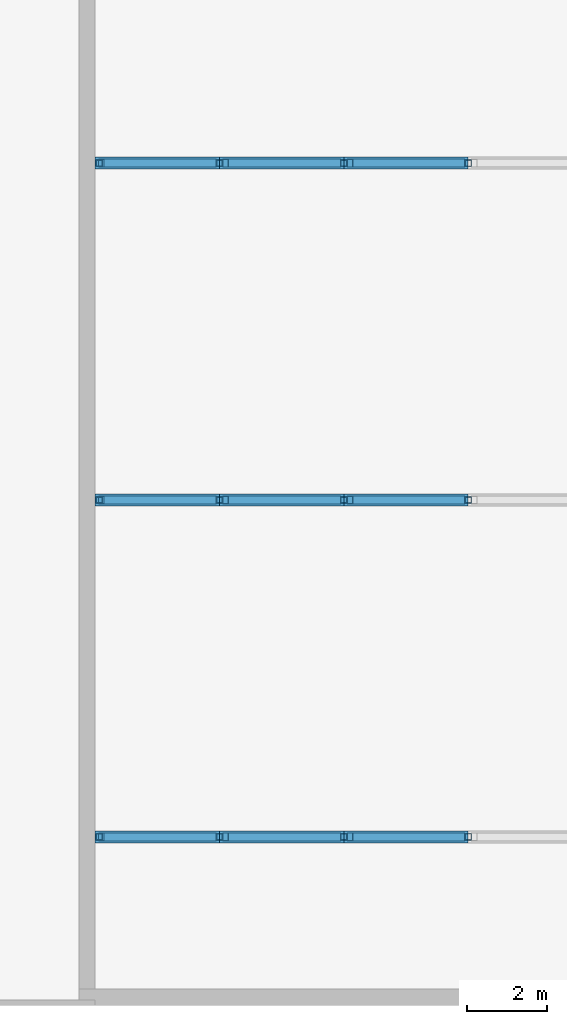
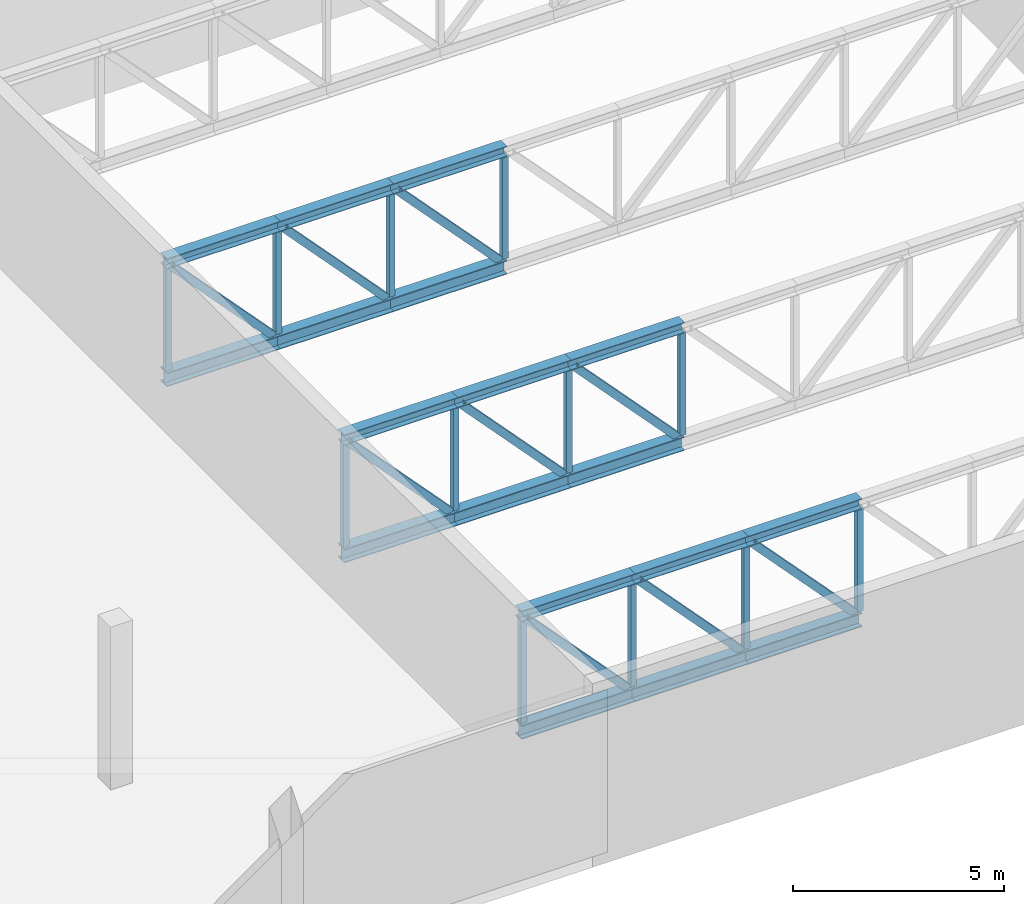
# One storey, part 3 of 26: 39 members.
"""IFC4 building model written with IfcOpenShell, lengths in metres."""

from ifc_helpers import new_model, si_unit, direction, frame, origin, origin_2d, place, context, subcontext, project, spatial, hollow_rectangle, i_section, extrude, material, material_profile, profile_set, type_object, element, save


model = new_model("IFC4")

# Units and contexts
model_context = context("Model", 3, precision=1e-05, world=origin(), true_north=direction((0.0, 1.0)))
body_context = subcontext(model_context, "Body", "Model", "MODEL_VIEW")
ifc_project = project(units=[si_unit("LENGTHUNIT", "METRE"), si_unit("AREAUNIT", "SQUARE_METRE"), si_unit("VOLUMEUNIT", "CUBIC_METRE"), si_unit("PLANEANGLEUNIT", "RADIAN"), si_unit("MASSUNIT", "GRAM", prefix="KILO")], contexts=[model_context])

# Site, building, storey
site_placement = place(None, origin())
site = spatial("IfcSite", under=ifc_project, at=site_placement, CompositionType="ELEMENT")
building_placement = place(site_placement, origin())
building = spatial("IfcBuilding", under=site, at=building_placement, Name="Candeia Pilgrim Tower and Theatre", CompositionType="ELEMENT")
storey_placement = place(building_placement, frame((0.0, 0.0, 34.0)))
storey = spatial("IfcBuildingStorey", under=building, at=storey_placement, Name="L05", CompositionType="ELEMENT", Elevation=34.0)

# Members
ifc_material = material(Name="Steel S355", Category="steel")
ifc_material_profile_1 = material_profile(ifc_material, i_section(OverallWidth=0.300048828125, OverallDepth=0.300048828125, WebThickness=0.010986328125, FlangeThickness=0.01904296875, at=origin_2d()))
ifc_profile_set_1 = profile_set([ifc_material_profile_1], Name="Steel S355")
member_type_1 = type_object("IfcMemberType", Name="Truss chord HEB 300", PredefinedType="CHORD", material=ifc_profile_set_1)
member_1_placement = place(storey_placement, frame((193.0, 70.199951171875, 4.35009765625), z_axis=(1.0, 0.0, 0.0), x_axis=(0.0, 1.0, 0.0)))
element("IfcMember", 1, at=member_1_placement, inside=storey, type_object=member_type_1, Name="Truss 1 top chord 1", PredefinedType="CHORD", context=body_context, shape_type="SweptSolid", body=[
    extrude(i_section(OverallWidth=0.300048828125, OverallDepth=0.300048828125, WebThickness=0.010986328125, FlangeThickness=0.01904296875, at=origin_2d()), origin(), (0.0, 0.0, 1.0), 3.10009765625),
])
member_2_placement = place(storey_placement, frame((196.10009765625, 70.199951171875, 4.35009765625), z_axis=(1.0, 0.0, 0.0), x_axis=(0.0, 1.0, 0.0)))
element("IfcMember", 2, at=member_2_placement, inside=storey, type_object=member_type_1, Name="Truss 1 top chord 2", PredefinedType="CHORD", context=body_context, shape_type="SweptSolid", body=[
    extrude(i_section(OverallWidth=0.300048828125, OverallDepth=0.300048828125, WebThickness=0.010986328125, FlangeThickness=0.01904296875, at=origin_2d()), origin(), (0.0, 0.0, 1.0), 3.099853515625),
])
for number, where, z_axis, x_axis, name in (
    (3, (199.199951171875, 70.199951171875, 4.35009765625), (1.0, 0.0, 0.0), (0.0, 1.0, 0.0), "Truss 1 top chord 3"),
    (4, (193.0, 78.60009765625, 4.35009765625), (1.0, 0.0, 0.0), (0.0, 1.0, 0.0), "Truss 2 top chord 1"),
):
    element("IfcMember", number, at=place(storey_placement, frame(where, z_axis=z_axis, x_axis=x_axis)), inside=storey, type_object=member_type_1, Name=name, PredefinedType="CHORD", context=body_context, shape_type="SweptSolid", body=[
        extrude(i_section(OverallWidth=0.300048828125, OverallDepth=0.300048828125, WebThickness=0.010986328125, FlangeThickness=0.01904296875, at=origin_2d()), origin(), (0.0, 0.0, 1.0), 3.10009765625),
    ])
member_3_placement = place(storey_placement, frame((196.10009765625, 78.60009765625, 4.35009765625), z_axis=(1.0, 0.0, 0.0), x_axis=(0.0, 1.0, 0.0)))
element("IfcMember", 5, at=member_3_placement, inside=storey, type_object=member_type_1, Name="Truss 2 top chord 2", PredefinedType="CHORD", context=body_context, shape_type="SweptSolid", body=[
    extrude(i_section(OverallWidth=0.300048828125, OverallDepth=0.300048828125, WebThickness=0.010986328125, FlangeThickness=0.01904296875, at=origin_2d()), origin(), (0.0, 0.0, 1.0), 3.099853515625),
])
for number, where, z_axis, x_axis, name in (
    (6, (199.199951171875, 78.60009765625, 4.35009765625), (1.0, 0.0, 0.0), (0.0, 1.0, 0.0), "Truss 2 top chord 3"),
    (7, (193.0, 87.0, 4.35009765625), (1.0, 0.0, 0.0), (0.0, 1.0, 0.0), "Truss 3 top chord 1"),
):
    element("IfcMember", number, at=place(storey_placement, frame(where, z_axis=z_axis, x_axis=x_axis)), inside=storey, type_object=member_type_1, Name=name, PredefinedType="CHORD", context=body_context, shape_type="SweptSolid", body=[
        extrude(i_section(OverallWidth=0.300048828125, OverallDepth=0.300048828125, WebThickness=0.010986328125, FlangeThickness=0.01904296875, at=origin_2d()), origin(), (0.0, 0.0, 1.0), 3.10009765625),
    ])
member_4_placement = place(storey_placement, frame((196.10009765625, 87.0, 4.35009765625), z_axis=(1.0, 0.0, 0.0), x_axis=(0.0, 1.0, 0.0)))
element("IfcMember", 8, at=member_4_placement, inside=storey, type_object=member_type_1, Name="Truss 3 top chord 2", PredefinedType="CHORD", context=body_context, shape_type="SweptSolid", body=[
    extrude(i_section(OverallWidth=0.300048828125, OverallDepth=0.300048828125, WebThickness=0.010986328125, FlangeThickness=0.01904296875, at=origin_2d()), origin(), (0.0, 0.0, 1.0), 3.099853515625),
])
member_5_placement = place(storey_placement, frame((199.199951171875, 87.0, 4.35009765625), z_axis=(1.0, 0.0, 0.0), x_axis=(0.0, 1.0, 0.0)))
element("IfcMember", 9, at=member_5_placement, inside=storey, type_object=member_type_1, Name="Truss 3 top chord 3", PredefinedType="CHORD", context=body_context, shape_type="SweptSolid", body=[
    extrude(i_section(OverallWidth=0.300048828125, OverallDepth=0.300048828125, WebThickness=0.010986328125, FlangeThickness=0.01904296875, at=origin_2d()), origin(), (0.0, 0.0, 1.0), 3.10009765625),
])
ifc_material_profile_2 = material_profile(ifc_material, i_section(OverallWidth=0.300048828125, OverallDepth=0.39990234375, WebThickness=0.013427734375, FlangeThickness=0.02392578125, at=origin_2d()))
ifc_profile_set_2 = profile_set([ifc_material_profile_2], Name="Steel S355")
member_type_2 = type_object("IfcMemberType", Name="Truss chord HEB 400", PredefinedType="CHORD", material=ifc_profile_set_2)
member_6_placement = place(storey_placement, frame((193.0, 70.199951171875, 1.0), z_axis=(1.0, 0.0, 0.0), x_axis=(0.0, 1.0, 0.0)))
element("IfcMember", 10, at=member_6_placement, inside=storey, type_object=member_type_2, Name="Truss 1 bottom chord 1", PredefinedType="CHORD", context=body_context, shape_type="SweptSolid", body=[
    extrude(i_section(OverallWidth=0.300048828125, OverallDepth=0.39990234375, WebThickness=0.013427734375, FlangeThickness=0.02392578125, at=origin_2d()), origin(), (0.0, 0.0, 1.0), 3.10009765625),
])
member_7_placement = place(storey_placement, frame((196.10009765625, 70.199951171875, 1.0), z_axis=(1.0, 0.0, 0.0), x_axis=(0.0, 1.0, 0.0)))
element("IfcMember", 11, at=member_7_placement, inside=storey, type_object=member_type_2, Name="Truss 1 bottom chord 2", PredefinedType="CHORD", context=body_context, shape_type="SweptSolid", body=[
    extrude(i_section(OverallWidth=0.300048828125, OverallDepth=0.39990234375, WebThickness=0.013427734375, FlangeThickness=0.02392578125, at=origin_2d()), origin(), (0.0, 0.0, 1.0), 3.099853515625),
])
for number, where, z_axis, x_axis, name in (
    (12, (199.199951171875, 70.199951171875, 1.0), (1.0, 0.0, 0.0), (0.0, 1.0, 0.0), "Truss 1 bottom chord 3"),
    (13, (193.0, 78.60009765625, 1.0), (1.0, 0.0, 0.0), (0.0, 1.0, 0.0), "Truss 2 bottom chord 1"),
):
    element("IfcMember", number, at=place(storey_placement, frame(where, z_axis=z_axis, x_axis=x_axis)), inside=storey, type_object=member_type_2, Name=name, PredefinedType="CHORD", context=body_context, shape_type="SweptSolid", body=[
        extrude(i_section(OverallWidth=0.300048828125, OverallDepth=0.39990234375, WebThickness=0.013427734375, FlangeThickness=0.02392578125, at=origin_2d()), origin(), (0.0, 0.0, 1.0), 3.10009765625),
    ])
member_8_placement = place(storey_placement, frame((196.10009765625, 78.60009765625, 1.0), z_axis=(1.0, 0.0, 0.0), x_axis=(0.0, 1.0, 0.0)))
element("IfcMember", 14, at=member_8_placement, inside=storey, type_object=member_type_2, Name="Truss 2 bottom chord 2", PredefinedType="CHORD", context=body_context, shape_type="SweptSolid", body=[
    extrude(i_section(OverallWidth=0.300048828125, OverallDepth=0.39990234375, WebThickness=0.013427734375, FlangeThickness=0.02392578125, at=origin_2d()), origin(), (0.0, 0.0, 1.0), 3.099853515625),
])
for number, where, z_axis, x_axis, name in (
    (15, (199.199951171875, 78.60009765625, 1.0), (1.0, 0.0, 0.0), (0.0, 1.0, 0.0), "Truss 2 bottom chord 3"),
    (16, (193.0, 87.0, 1.0), (1.0, 0.0, 0.0), (0.0, 1.0, 0.0), "Truss 3 bottom chord 1"),
):
    element("IfcMember", number, at=place(storey_placement, frame(where, z_axis=z_axis, x_axis=x_axis)), inside=storey, type_object=member_type_2, Name=name, PredefinedType="CHORD", context=body_context, shape_type="SweptSolid", body=[
        extrude(i_section(OverallWidth=0.300048828125, OverallDepth=0.39990234375, WebThickness=0.013427734375, FlangeThickness=0.02392578125, at=origin_2d()), origin(), (0.0, 0.0, 1.0), 3.10009765625),
    ])
member_9_placement = place(storey_placement, frame((196.10009765625, 87.0, 1.0), z_axis=(1.0, 0.0, 0.0), x_axis=(0.0, 1.0, 0.0)))
element("IfcMember", 17, at=member_9_placement, inside=storey, type_object=member_type_2, Name="Truss 3 bottom chord 2", PredefinedType="CHORD", context=body_context, shape_type="SweptSolid", body=[
    extrude(i_section(OverallWidth=0.300048828125, OverallDepth=0.39990234375, WebThickness=0.013427734375, FlangeThickness=0.02392578125, at=origin_2d()), origin(), (0.0, 0.0, 1.0), 3.099853515625),
])
member_10_placement = place(storey_placement, frame((199.199951171875, 87.0, 1.0), z_axis=(1.0, 0.0, 0.0), x_axis=(0.0, 1.0, 0.0)))
element("IfcMember", 18, at=member_10_placement, inside=storey, type_object=member_type_2, Name="Truss 3 bottom chord 3", PredefinedType="CHORD", context=body_context, shape_type="SweptSolid", body=[
    extrude(i_section(OverallWidth=0.300048828125, OverallDepth=0.39990234375, WebThickness=0.013427734375, FlangeThickness=0.02392578125, at=origin_2d()), origin(), (0.0, 0.0, 1.0), 3.10009765625),
])
ifc_material_profile_3 = material_profile(ifc_material, hollow_rectangle(XDim=0.199951171875, YDim=0.199951171875, WallThickness=0.010009765625, at=origin_2d()))
ifc_profile_set_3 = profile_set([ifc_material_profile_3], Name="Steel S355")
member_type_3 = type_object("IfcMemberType", Name="Truss diagonal SHS 200x200x10", PredefinedType="BRACE", material=ifc_profile_set_3)
for number, where, z_axis, x_axis, name in (
    (19, (193.14990234375, 70.199951171875, 4.199951171875), (0.682324609438, 0.0, -0.731049333052), (0.0, 1.0, 0.0), "Truss 1 diagonal 1"),
    (20, (196.25, 70.199951171875, 4.199951171875), (0.682324609438, 0.0, -0.731049333052), (0.0, 1.0, 0.0), "Truss 1 diagonal 2"),
):
    element("IfcMember", number, at=place(storey_placement, frame(where, z_axis=z_axis, x_axis=x_axis)), inside=storey, type_object=member_type_3, Name=name, PredefinedType="BRACE", context=body_context, shape_type="SweptSolid", body=[
        extrude(hollow_rectangle(XDim=0.199951171875, YDim=0.199951171875, WallThickness=0.010009765625, at=origin_2d()), origin(), (0.0, 0.0, 1.0), 4.103759765625),
    ])
member_11_placement = place(storey_placement, frame((199.35009765625, 70.199951171875, 4.199951171875), z_axis=(0.6822928125, 0.0, -0.731079009417), x_axis=(0.0, 1.0, 0.0)))
element("IfcMember", 21, at=member_11_placement, inside=storey, type_object=member_type_3, Name="Truss 1 diagonal 3", PredefinedType="BRACE", context=body_context, shape_type="SweptSolid", body=[
    extrude(hollow_rectangle(XDim=0.199951171875, YDim=0.199951171875, WallThickness=0.010009765625, at=origin_2d()), origin(), (0.0, 0.0, 1.0), 4.103515625),
])
for number, where, z_axis, x_axis, name in (
    (22, (193.14990234375, 78.60009765625, 4.199951171875), (0.682324609438, 0.0, -0.731049333052), (0.0, 1.0, 0.0), "Truss 2 diagonal 1"),
    (23, (196.25, 78.60009765625, 4.199951171875), (0.682324609438, 0.0, -0.731049333052), (0.0, 1.0, 0.0), "Truss 2 diagonal 2"),
):
    element("IfcMember", number, at=place(storey_placement, frame(where, z_axis=z_axis, x_axis=x_axis)), inside=storey, type_object=member_type_3, Name=name, PredefinedType="BRACE", context=body_context, shape_type="SweptSolid", body=[
        extrude(hollow_rectangle(XDim=0.199951171875, YDim=0.199951171875, WallThickness=0.010009765625, at=origin_2d()), origin(), (0.0, 0.0, 1.0), 4.103759765625),
    ])
member_12_placement = place(storey_placement, frame((199.35009765625, 78.60009765625, 4.199951171875), z_axis=(0.6822928125, 0.0, -0.731079009417), x_axis=(0.0, 1.0, 0.0)))
element("IfcMember", 24, at=member_12_placement, inside=storey, type_object=member_type_3, Name="Truss 2 diagonal 3", PredefinedType="BRACE", context=body_context, shape_type="SweptSolid", body=[
    extrude(hollow_rectangle(XDim=0.199951171875, YDim=0.199951171875, WallThickness=0.010009765625, at=origin_2d()), origin(), (0.0, 0.0, 1.0), 4.103515625),
])
for number, where, z_axis, x_axis, name in (
    (25, (193.14990234375, 87.0, 4.199951171875), (0.682324609438, 0.0, -0.731049333052), (0.0, 1.0, 0.0), "Truss 3 diagonal 1"),
    (26, (196.25, 87.0, 4.199951171875), (0.682324609438, 0.0, -0.731049333052), (0.0, 1.0, 0.0), "Truss 3 diagonal 2"),
):
    element("IfcMember", number, at=place(storey_placement, frame(where, z_axis=z_axis, x_axis=x_axis)), inside=storey, type_object=member_type_3, Name=name, PredefinedType="BRACE", context=body_context, shape_type="SweptSolid", body=[
        extrude(hollow_rectangle(XDim=0.199951171875, YDim=0.199951171875, WallThickness=0.010009765625, at=origin_2d()), origin(), (0.0, 0.0, 1.0), 4.103759765625),
    ])
member_13_placement = place(storey_placement, frame((199.35009765625, 87.0, 4.199951171875), z_axis=(0.6822928125, 0.0, -0.731079009417), x_axis=(0.0, 1.0, 0.0)))
element("IfcMember", 27, at=member_13_placement, inside=storey, type_object=member_type_3, Name="Truss 3 diagonal 3", PredefinedType="BRACE", context=body_context, shape_type="SweptSolid", body=[
    extrude(hollow_rectangle(XDim=0.199951171875, YDim=0.199951171875, WallThickness=0.010009765625, at=origin_2d()), origin(), (0.0, 0.0, 1.0), 4.103515625),
])
ifc_material_profile_4 = material_profile(ifc_material, hollow_rectangle(XDim=0.159912109375, YDim=0.159912109375, WallThickness=0.008056640625, at=origin_2d()))
ifc_profile_set_4 = profile_set([ifc_material_profile_4], Name="Steel S355")
member_type_4 = type_object("IfcMemberType", Name="Truss post SHS 160x160x8", PredefinedType="POST", material=ifc_profile_set_4)
for number, where, z_axis, x_axis, name in (
    (28, (193.10009765625, 70.199951171875, 1.199951171875), (0.0, 0.0, 1.0), (1.0, 0.0, 0.0), "Truss 1 post 1"),
    (29, (196.10009765625, 70.199951171875, 1.199951171875), (0.0, 0.0, 1.0), (1.0, 0.0, 0.0), "Truss 1 post 2"),
    (30, (199.199951171875, 70.199951171875, 1.199951171875), (0.0, 0.0, 1.0), (1.0, 0.0, 0.0), "Truss 1 post 3"),
    (31, (202.300048828125, 70.199951171875, 1.199951171875), (0.0, 0.0, 1.0), (1.0, 0.0, 0.0), "Truss 1 post 4"),
    (32, (193.10009765625, 78.60009765625, 1.199951171875), (0.0, 0.0, 1.0), (1.0, 0.0, 0.0), "Truss 2 post 1"),
    (33, (196.10009765625, 78.60009765625, 1.199951171875), (0.0, 0.0, 1.0), (1.0, 0.0, 0.0), "Truss 2 post 2"),
    (34, (199.199951171875, 78.60009765625, 1.199951171875), (0.0, 0.0, 1.0), (1.0, 0.0, 0.0), "Truss 2 post 3"),
    (35, (202.300048828125, 78.60009765625, 1.199951171875), (0.0, 0.0, 1.0), (1.0, 0.0, 0.0), "Truss 2 post 4"),
    (36, (193.10009765625, 87.0, 1.199951171875), (0.0, 0.0, 1.0), (1.0, 0.0, 0.0), "Truss 3 post 1"),
    (37, (196.10009765625, 87.0, 1.199951171875), (0.0, 0.0, 1.0), (1.0, 0.0, 0.0), "Truss 3 post 2"),
    (38, (199.199951171875, 87.0, 1.199951171875), (0.0, 0.0, 1.0), (1.0, 0.0, 0.0), "Truss 3 post 3"),
    (39, (202.300048828125, 87.0, 1.199951171875), (0.0, 0.0, 1.0), (1.0, 0.0, 0.0), "Truss 3 post 4"),
):
    element("IfcMember", number, at=place(storey_placement, frame(where, z_axis=z_axis, x_axis=x_axis)), inside=storey, type_object=member_type_4, Name=name, PredefinedType="POST", context=body_context, shape_type="SweptSolid", body=[
        extrude(hollow_rectangle(XDim=0.159912109375, YDim=0.159912109375, WallThickness=0.008056640625, at=origin_2d()), origin(), (0.0, 0.0, 1.0), 3.0),
    ])

save(model, "model.ifc")
